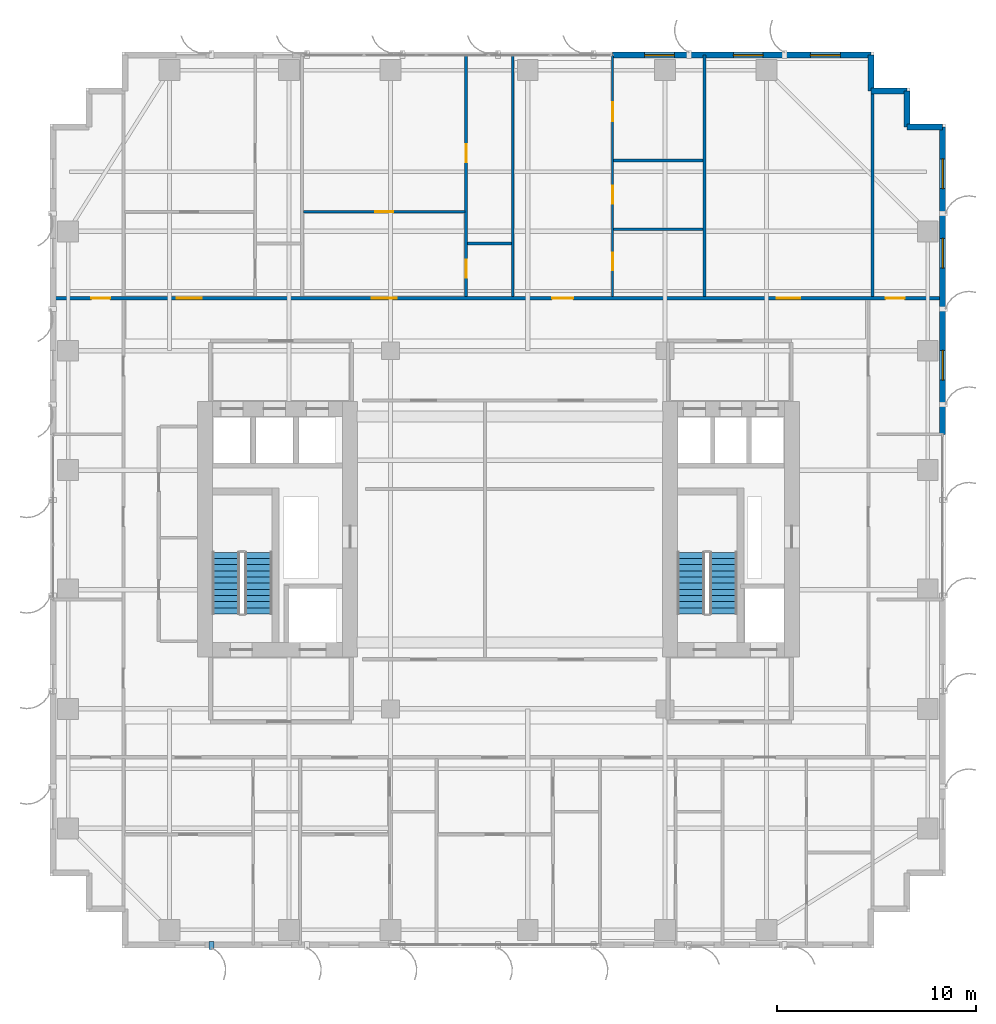
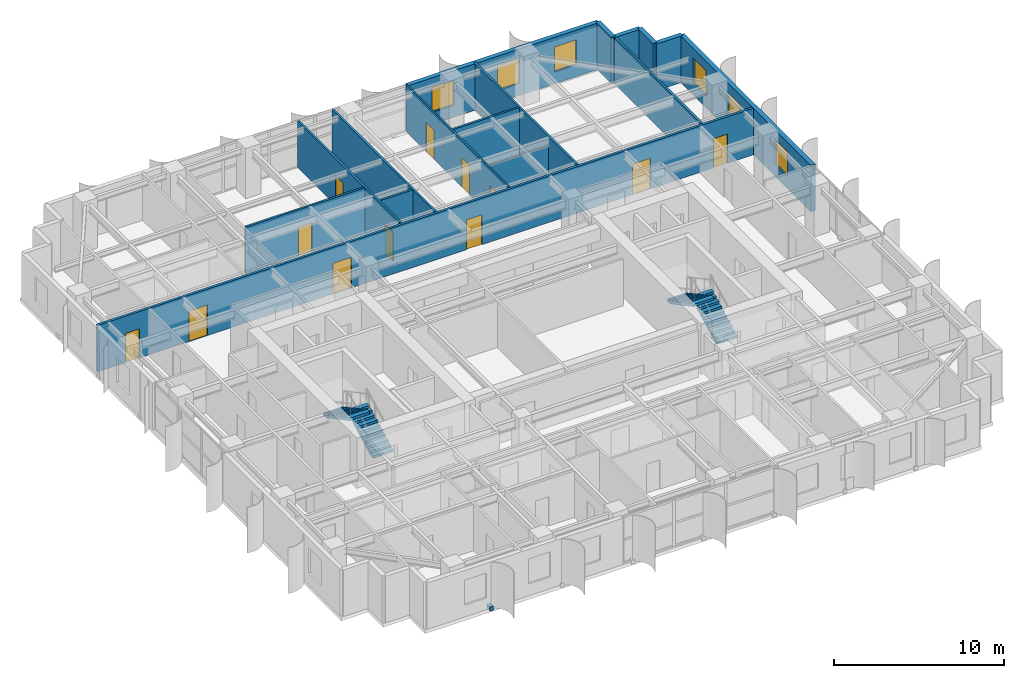
# One storey, part 17 of 22: 16 walls, 12 doors, 6 windows, 4 stair flights, 1 discrete accessory, 18 openings, 2 elements without a shape of their own.
"""IFC4 building model written with IfcOpenShell, lengths in metres."""

from ifc_helpers import new_model, si_unit, direction, frame, frame_2d, origin, origin_2d, place, context, subcontext, project, spatial, polyline, rectangle, outline, extrude, source, transform, mapped, material, layer, layer_set, type_object, element, fill, aggregate, save


model = new_model("IFC4")

# Units and contexts
model_context = context("Model", 3, precision=1e-05, world=origin(), true_north=direction((0.0, 1.0)))
body_context = subcontext(model_context, "Body", "Model", "MODEL_VIEW")
ifc_project = project(units=[si_unit("LENGTHUNIT", "METRE"), si_unit("AREAUNIT", "SQUARE_METRE"), si_unit("VOLUMEUNIT", "CUBIC_METRE"), si_unit("PLANEANGLEUNIT", "RADIAN"), si_unit("MASSUNIT", "GRAM", prefix="KILO")], contexts=[model_context])

# Site, building, storey
site_placement = place(None, origin())
site = spatial("IfcSite", under=ifc_project, at=site_placement, CompositionType="ELEMENT")
building_placement = place(site_placement, origin())
building = spatial("IfcBuilding", under=site, at=building_placement, Name="Khoralis Quay Care Tower", CompositionType="ELEMENT")
storey_placement = place(building_placement, frame((0.0, 0.0, 101.699951171875)))
storey = spatial("IfcBuildingStorey", under=building, at=storey_placement, Name="L26", CompositionType="ELEMENT", Elevation=101.699951171875)

# Wall, openings, doors
ifc_material_1 = material(Name="Gypsum plasterboard on acoustic metal stud")
ifc_layer_1 = layer(ifc_material_1, 0.1650390625)
ifc_layer_set_1 = layer_set([ifc_layer_1], Name="Gypsum plasterboard on acoustic metal stud")
wall_type_1 = type_object("IfcWallType", Name="WL-CORR-165", PredefinedType="PARTITIONING", material=ifc_layer_set_1)
wall_1_placement = place(storey_placement, frame((0.14501953125, 32.639892578125, 0.0), z_axis=(0.0, 0.0, 1.0), x_axis=(1.0, 0.0, 0.0)))
wall_1 = element("IfcWall", 1, at=wall_1_placement, inside=storey, type_object=wall_type_1, Name="L26 North Main Corridor Wall", PredefinedType="PARTITIONING", context=body_context, shape_type="SweptSolid", body=[
    extrude(rectangle(XDim=44.7099609375, YDim=0.1650390625, at=frame_2d((22.35498046875, 0.0))), origin(), (0.0, 0.0, 1.0), 3.340087890625),
])
opening_1_placement = place(wall_1_placement, frame((6.22509765625, 0.0, 0.0)))
opening_1 = element("IfcOpeningElement", 2, at=opening_1_placement, cuts=wall_1, Name="Opening CD1", PredefinedType="OPENING", context=body_context, shape_type="SweptSolid", body=[
    extrude(rectangle(XDim=1.25, YDim=2.199951171875, at=frame_2d((0.625, 1.10009765625))), frame((0.0, 0.092529296875, 0.0), z_axis=(0.0, -1.0, 0.0), x_axis=(1.0, 0.0, 0.0)), (0.0, 0.0, 1.0), 0.18505859375),
])
opening_2_placement = place(wall_1_placement, frame((16.010009765625, 0.0, 0.0)))
opening_2 = element("IfcOpeningElement", 3, at=opening_2_placement, cuts=wall_1, Name="Opening CD1", PredefinedType="OPENING", context=body_context, shape_type="SweptSolid", body=[
    extrude(rectangle(XDim=1.25, YDim=2.199951171875, at=frame_2d((0.625, 1.10009765625))), frame((0.0, 0.092529296875, 0.0), z_axis=(0.0, -1.0, 0.0), x_axis=(1.0, 0.0, 0.0)), (0.0, 0.0, 1.0), 0.18505859375),
])
opening_3_placement = place(wall_1_placement, frame((25.083984375, 0.0, 0.0)))
opening_3 = element("IfcOpeningElement", 4, at=opening_3_placement, cuts=wall_1, Name="Opening UD1", PredefinedType="OPENING", context=body_context, shape_type="SweptSolid", body=[
    extrude(rectangle(XDim=1.050048828125, YDim=2.14990234375, at=frame_2d((0.52490234375, 1.074951171875))), frame((0.0, 0.092529296875, 0.0), z_axis=(0.0, -1.0, 0.0), x_axis=(1.0, 0.0, 0.0)), (0.0, 0.0, 1.0), 0.18505859375),
])
opening_4_placement = place(wall_1_placement, frame((36.35498046875, 0.0, 0.0)))
opening_4 = element("IfcOpeningElement", 5, at=opening_4_placement, cuts=wall_1, Name="Opening FD1", PredefinedType="OPENING", context=body_context, shape_type="SweptSolid", body=[
    extrude(rectangle(XDim=1.199951171875, YDim=2.199951171875, at=frame_2d((0.60009765625, 1.10009765625))), frame((0.0, 0.092529296875, 0.0), z_axis=(0.0, -1.0, 0.0), x_axis=(1.0, 0.0, 0.0)), (0.0, 0.0, 1.0), 0.18505859375),
])
opening_5_placement = place(wall_1_placement, frame((1.919921875, 0.0, 0.0)))
opening_5 = element("IfcOpeningElement", 6, at=opening_5_placement, cuts=wall_1, Name="Opening ID1", PredefinedType="OPENING", context=body_context, shape_type="SweptSolid", body=[
    extrude(rectangle(XDim=0.949951171875, YDim=2.10009765625, at=frame_2d((0.47509765625, 1.050048828125))), frame((0.0, 0.092529296875, 0.0), z_axis=(0.0, -1.0, 0.0), x_axis=(1.0, 0.0, 0.0)), (0.0, 0.0, 1.0), 0.18505859375),
])
opening_6_placement = place(wall_1_placement, frame((41.840087890625, 0.0, 0.0)))
opening_6 = element("IfcOpeningElement", 7, at=opening_6_placement, cuts=wall_1, Name="Opening ID1", PredefinedType="OPENING", context=body_context, shape_type="SweptSolid", body=[
    extrude(rectangle(XDim=0.949951171875, YDim=2.10009765625, at=frame_2d((0.47509765625, 1.050048828125))), frame((0.0, 0.092529296875, 0.0), z_axis=(0.0, -1.0, 0.0), x_axis=(1.0, 0.0, 0.0)), (0.0, 0.0, 1.0), 0.18505859375),
])
ifc_material_2 = material(Name="Fire-rated painted steel", Category="steel")
door_type_1 = type_object("IfcDoorType", Name="DR-FFL-1200X2200", OperationType="NOTDEFINED", PredefinedType="DOOR", material=ifc_material_2)
shared_shape_1 = source(origin(), body_context, "Body", "SweptSolid", [
    extrude(rectangle(XDim=1.199951171875, YDim=2.199951171875, at=frame_2d((0.60009765625, 1.10009765625))), frame((0.0, 0.02490234375, 0.0), z_axis=(0.0, -1.0, 0.0), x_axis=(1.0, 0.0, 0.0)), (0.0, 0.0, 1.0), 0.050048828125),
])
door_1_placement = place(opening_4_placement, origin())
door_1 = element("IfcDoor", 8, at=door_1_placement, inside=storey, type_object=door_type_1, Name="L26 Assisted Communal Dining Room Door", OperationType="DOUBLE_DOOR_SINGLE_SWING", OverallHeight=2.199951171875, OverallWidth=1.199951171875, PredefinedType="DOOR", context=body_context, shape_type="MappedRepresentation", body=[
    mapped(shared_shape_1, transform((0.0, 0.0, 0.0), scale=1.0)),
])
fill(opening_4, door_1)
ifc_material_3 = material(Name="Acoustic hardwood timber", Category="wood")
door_type_2 = type_object("IfcDoorType", Name="DR-CARE-1250X2200", OperationType="NOTDEFINED", PredefinedType="DOOR", material=ifc_material_3)
shared_shape_2 = source(origin(), body_context, "Body", "SweptSolid", [
    extrude(rectangle(XDim=1.25, YDim=2.199951171875, at=frame_2d((0.625, 1.10009765625))), frame((0.0, 0.02490234375, 0.0), z_axis=(0.0, -1.0, 0.0), x_axis=(1.0, 0.0, 0.0)), (0.0, 0.0, 1.0), 0.050048828125),
])
door_2_placement = place(opening_1_placement, origin())
door_2 = element("IfcDoor", 9, at=door_2_placement, inside=storey, type_object=door_type_2, Name="L26 Care Suite NB0 Clinical Door", OperationType="SINGLE_SWING_RIGHT", OverallHeight=2.199951171875, OverallWidth=1.25, PredefinedType="DOOR", context=body_context, shape_type="MappedRepresentation", body=[
    mapped(shared_shape_2, transform((0.0, 0.0, 0.0), scale=1.0)),
])
fill(opening_1, door_2)
door_3_placement = place(opening_2_placement, origin())
door_3 = element("IfcDoor", 10, at=door_3_placement, inside=storey, type_object=door_type_2, Name="L26 Care Suite NB1 Clinical Door", OperationType="SINGLE_SWING_LEFT", OverallHeight=2.199951171875, OverallWidth=1.25, PredefinedType="DOOR", context=body_context, shape_type="MappedRepresentation", body=[
    mapped(shared_shape_2, transform((0.0, 0.0, 0.0), scale=1.0)),
])
fill(opening_2, door_3)
door_type_3 = type_object("IfcDoorType", Name="DR-ROOM-950X2100", OperationType="NOTDEFINED", PredefinedType="DOOR", material=ifc_material_3)
shared_shape_3 = source(origin(), body_context, "Body", "SweptSolid", [
    extrude(rectangle(XDim=0.949951171875, YDim=2.10009765625, at=frame_2d((0.47509765625, 1.050048828125))), frame((0.0, 0.02490234375, 0.0), z_axis=(0.0, -1.0, 0.0), x_axis=(1.0, 0.0, 0.0)), (0.0, 0.0, 1.0), 0.050048828125),
])
door_4_placement = place(opening_5_placement, origin())
door_4 = element("IfcDoor", 11, at=door_4_placement, inside=storey, type_object=door_type_3, Name="L26 NW Corner Door", OperationType="SINGLE_SWING_RIGHT", OverallHeight=2.10009765625, OverallWidth=0.949951171875, PredefinedType="DOOR", context=body_context, shape_type="MappedRepresentation", body=[
    mapped(shared_shape_3, transform((0.0, 0.0, 0.0), scale=1.0)),
])
fill(opening_5, door_4)
door_5_placement = place(opening_6_placement, origin())
door_5 = element("IfcDoor", 12, at=door_5_placement, inside=storey, type_object=door_type_3, Name="L26 NE Corner Door", OperationType="SINGLE_SWING_LEFT", OverallHeight=2.10009765625, OverallWidth=0.949951171875, PredefinedType="DOOR", context=body_context, shape_type="MappedRepresentation", body=[
    mapped(shared_shape_3, transform((0.0, 0.0, 0.0), scale=1.0)),
])
fill(opening_6, door_5)
door_type_4 = type_object("IfcDoorType", Name="DR-SUITE-1050X2150", OperationType="NOTDEFINED", PredefinedType="DOOR", material=ifc_material_3)
shared_shape_4 = source(origin(), body_context, "Body", "SweptSolid", [
    extrude(rectangle(XDim=1.050048828125, YDim=2.14990234375, at=frame_2d((0.52490234375, 1.074951171875))), frame((0.0, 0.02490234375, 0.0), z_axis=(0.0, -1.0, 0.0), x_axis=(1.0, 0.0, 0.0)), (0.0, 0.0, 1.0), 0.050048828125),
])
door_6_placement = place(opening_3_placement, origin())
door_6 = element("IfcDoor", 13, at=door_6_placement, inside=storey, type_object=door_type_4, Name="L26 Apartment NB2 Entrance Door", OperationType="SINGLE_SWING_RIGHT", OverallHeight=2.14990234375, OverallWidth=1.050048828125, PredefinedType="DOOR", context=body_context, shape_type="MappedRepresentation", body=[
    mapped(shared_shape_4, transform((0.0, 0.0, 0.0), scale=1.0)),
])
fill(opening_3, door_6)

# Wall, openings, windows
ifc_material_4 = material(Name="Precast concrete C45/55", Category="concrete")
ifc_layer_2 = layer(ifc_material_4, 0.300048828125)
ifc_layer_set_2 = layer_set([ifc_layer_2], Name="Precast concrete C45/55")
wall_type_2 = type_object("IfcWallType", Name="WL-EXT-REF-300", PredefinedType="SOLIDWALL", material=ifc_layer_set_2)
wall_2_placement = place(storey_placement, frame((44.85009765625, 25.800048828125, 0.0), z_axis=(0.0, 0.0, 1.0), x_axis=(0.0, 1.0, 0.0)))
wall_2 = element("IfcWall", 14, at=wall_2_placement, inside=storey, type_object=wall_type_2, Name="L26 External Facade Wall WL-EXT-L26-P1-E5B", PredefinedType="SOLIDWALL", context=body_context, shape_type="SweptSolid", body=[
    extrude(rectangle(XDim=15.449951171875, YDim=0.300048828125, at=frame_2d((7.72509765625, 0.0))), origin(), (0.0, 0.0, 1.0), 3.340087890625),
])
opening_7_placement = place(wall_2_placement, frame((2.719970703125, 0.0, 0.85009765625)))
opening_7 = element("IfcOpeningElement", 15, at=opening_7_placement, cuts=wall_2, Name="Opening W3", PredefinedType="OPENING", context=body_context, shape_type="SweptSolid", body=[
    extrude(rectangle(XDim=1.5, YDim=1.800048828125, at=frame_2d((0.75, 0.89990234375))), frame((0.0, 0.16015625, 0.0), z_axis=(0.0, -1.0, 0.0), x_axis=(1.0, 0.0, 0.0)), (0.0, 0.0, 1.0), 0.320068359375),
])
opening_8_placement = place(wall_2_placement, frame((8.347412109375, 0.0, 0.85009765625)))
opening_8 = element("IfcOpeningElement", 16, at=opening_8_placement, cuts=wall_2, Name="Opening W3", PredefinedType="OPENING", context=body_context, shape_type="SweptSolid", body=[
    extrude(rectangle(XDim=1.5, YDim=1.800048828125, at=frame_2d((0.75, 0.89990234375))), frame((0.0, 0.16015625, 0.0), z_axis=(0.0, -1.0, 0.0), x_axis=(1.0, 0.0, 0.0)), (0.0, 0.0, 1.0), 0.320068359375),
])
opening_9_placement = place(wall_2_placement, frame((12.342529296875, 0.0, 0.85009765625)))
opening_9 = element("IfcOpeningElement", 17, at=opening_9_placement, cuts=wall_2, Name="Opening W3", PredefinedType="OPENING", context=body_context, shape_type="SweptSolid", body=[
    extrude(rectangle(XDim=1.5, YDim=1.800048828125, at=frame_2d((0.75, 0.89990234375))), frame((0.0, 0.16015625, 0.0), z_axis=(0.0, -1.0, 0.0), x_axis=(1.0, 0.0, 0.0)), (0.0, 0.0, 1.0), 0.320068359375),
])
ifc_material_5 = material(Name="Low-E solar-control double glazing", Category="glass")
window_type = type_object("IfcWindowType", Name="WN-CLIN-1500X1800", PartitioningType="SINGLE_PANEL", PredefinedType="WINDOW", material=ifc_material_5)
shared_shape_5 = source(origin(), body_context, "Body", "SweptSolid", [
    extrude(rectangle(XDim=1.5, YDim=1.800048828125, at=frame_2d((0.75, 0.89990234375))), frame((0.0, 0.030029296875, 0.0), z_axis=(0.0, -1.0, 0.0), x_axis=(1.0, 0.0, 0.0)), (0.0, 0.0, 1.0), 0.06005859375),
])
window_1_placement = place(opening_7_placement, origin())
window_1 = element("IfcWindow", 18, at=window_1_placement, inside=storey, type_object=window_type, Name="WN-L26-P1-E5B Facade Window 01", OverallHeight=1.800048828125, OverallWidth=1.5, PartitioningType="SINGLE_PANEL", PredefinedType="WINDOW", context=body_context, shape_type="MappedRepresentation", body=[
    mapped(shared_shape_5, transform((0.0, 0.0, 0.0), scale=1.0)),
])
fill(opening_7, window_1)
window_2_placement = place(opening_8_placement, origin())
window_2 = element("IfcWindow", 19, at=window_2_placement, inside=storey, type_object=window_type, Name="WN-L26-P1-E5B Facade Window 02", OverallHeight=1.800048828125, OverallWidth=1.5, PartitioningType="SINGLE_PANEL", PredefinedType="WINDOW", context=body_context, shape_type="MappedRepresentation", body=[
    mapped(shared_shape_5, transform((0.0, 0.0, 0.0), scale=1.0)),
])
fill(opening_8, window_2)
window_3_placement = place(opening_9_placement, origin())
window_3 = element("IfcWindow", 20, at=window_3_placement, inside=storey, type_object=window_type, Name="WN-L26-P1-E5B Facade Window 03", OverallHeight=1.800048828125, OverallWidth=1.5, PartitioningType="SINGLE_PANEL", PredefinedType="WINDOW", context=body_context, shape_type="MappedRepresentation", body=[
    mapped(shared_shape_5, transform((0.0, 0.0, 0.0), scale=1.0)),
])
fill(opening_9, window_3)

# Walls
for number, where, z_axis, x_axis, name in (
    (21, (44.85009765625, 41.25, 0.0), (0.0, 0.0, 1.0), (-1.0, 0.0, 0.0), "L26 External Facade Wall WL-EXT-L26-P1-C6"),
    (22, (43.050048828125, 41.25, 0.0), (0.0, 0.0, 1.0), (0.0, 1.0, 0.0), "L26 External Facade Wall WL-EXT-L26-P1-C7"),
    (23, (43.050048828125, 43.050048828125, 0.0), (0.0, 0.0, 1.0), (-1.0, 0.0, 0.0), "L26 External Facade Wall WL-EXT-L26-P1-C8"),
    (24, (41.25, 43.050048828125, 0.0), (0.0, 0.0, 1.0), (0.0, 1.0, 0.0), "L26 External Facade Wall WL-EXT-L26-P1-C9"),
):
    element("IfcWall", number, at=place(storey_placement, frame(where, z_axis=z_axis, x_axis=x_axis)), inside=storey, type_object=wall_type_2, Name=name, PredefinedType="SOLIDWALL", context=body_context, shape_type="SweptSolid", body=[
        extrude(rectangle(XDim=1.800048828125, YDim=0.300048828125, at=frame_2d((0.89990234375, 0.0))), origin(), (0.0, 0.0, 1.0), 3.340087890625),
    ])

# Wall, openings, windows
wall_3_placement = place(storey_placement, frame((41.25, 44.85009765625, 0.0), z_axis=(0.0, 0.0, 1.0), x_axis=(-1.0, 0.0, 0.0)))
wall_3 = element("IfcWall", 25, at=wall_3_placement, inside=storey, type_object=wall_type_2, Name="L26 External Facade Wall WL-EXT-L26-P1-E10A", PredefinedType="SOLIDWALL", context=body_context, shape_type="SweptSolid", body=[
    extrude(rectangle(XDim=12.991943359375, YDim=0.300048828125, at=frame_2d((6.49609375, 0.0))), origin(), (0.0, 0.0, 1.0), 3.340087890625),
])
opening_10_placement = place(wall_3_placement, frame((1.547607421875, 0.0, 0.85009765625)))
opening_10 = element("IfcOpeningElement", 26, at=opening_10_placement, cuts=wall_3, Name="Opening W3", PredefinedType="OPENING", context=body_context, shape_type="SweptSolid", body=[
    extrude(rectangle(XDim=1.5, YDim=1.800048828125, at=frame_2d((0.75, 0.89990234375))), frame((0.0, 0.16015625, 0.0), z_axis=(0.0, -1.0, 0.0), x_axis=(1.0, 0.0, 0.0)), (0.0, 0.0, 1.0), 0.320068359375),
])
opening_11_placement = place(wall_3_placement, frame((5.422607421875, 0.0, 0.85009765625)))
opening_11 = element("IfcOpeningElement", 27, at=opening_11_placement, cuts=wall_3, Name="Opening W3", PredefinedType="OPENING", context=body_context, shape_type="SweptSolid", body=[
    extrude(rectangle(XDim=1.5, YDim=1.800048828125, at=frame_2d((0.75, 0.89990234375))), frame((0.0, 0.16015625, 0.0), z_axis=(0.0, -1.0, 0.0), x_axis=(1.0, 0.0, 0.0)), (0.0, 0.0, 1.0), 0.320068359375),
])
opening_12_placement = place(wall_3_placement, frame((9.881103515625, 0.0, 0.85009765625)))
opening_12 = element("IfcOpeningElement", 28, at=opening_12_placement, cuts=wall_3, Name="Opening W3", PredefinedType="OPENING", context=body_context, shape_type="SweptSolid", body=[
    extrude(rectangle(XDim=1.5, YDim=1.800048828125, at=frame_2d((0.75, 0.89990234375))), frame((0.0, 0.16015625, 0.0), z_axis=(0.0, -1.0, 0.0), x_axis=(1.0, 0.0, 0.0)), (0.0, 0.0, 1.0), 0.320068359375),
])
window_4_placement = place(opening_10_placement, origin())
window_4 = element("IfcWindow", 29, at=window_4_placement, inside=storey, type_object=window_type, Name="WN-L26-P1-E10A Facade Window 01", OverallHeight=1.800048828125, OverallWidth=1.5, PartitioningType="SINGLE_PANEL", PredefinedType="WINDOW", context=body_context, shape_type="MappedRepresentation", body=[
    mapped(shared_shape_5, transform((0.0, 0.0, 0.0), scale=1.0)),
])
fill(opening_10, window_4)
window_5_placement = place(opening_11_placement, origin())
window_5 = element("IfcWindow", 30, at=window_5_placement, inside=storey, type_object=window_type, Name="WN-L26-P1-E10A Facade Window 02", OverallHeight=1.800048828125, OverallWidth=1.5, PartitioningType="SINGLE_PANEL", PredefinedType="WINDOW", context=body_context, shape_type="MappedRepresentation", body=[
    mapped(shared_shape_5, transform((0.0, 0.0, 0.0), scale=1.0)),
])
fill(opening_11, window_5)
window_6_placement = place(opening_12_placement, origin())
window_6 = element("IfcWindow", 31, at=window_6_placement, inside=storey, type_object=window_type, Name="WN-L26-P1-E10A Facade Window 03", OverallHeight=1.800048828125, OverallWidth=1.5, PartitioningType="SINGLE_PANEL", PredefinedType="WINDOW", context=body_context, shape_type="MappedRepresentation", body=[
    mapped(shared_shape_5, transform((0.0, 0.0, 0.0), scale=1.0)),
])
fill(opening_12, window_6)

# Wall, openings, doors
ifc_layer_3 = layer(ifc_material_1, 0.114990234375)
ifc_layer_set_3 = layer_set([ifc_layer_3], Name="Gypsum plasterboard on acoustic metal stud")
wall_type_3 = type_object("IfcWallType", Name="WL-PART-115", PredefinedType="PARTITIONING", material=ifc_layer_set_3)
wall_4_placement = place(storey_placement, frame((28.258056640625, 32.717529296875, 0.0), z_axis=(0.0, 0.0, 1.0), x_axis=(0.0, 1.0, 0.0)))
wall_4 = element("IfcWall", 32, at=wall_4_placement, inside=storey, type_object=wall_type_3, Name="L26 Unit 2 Internal Wall", PredefinedType="PARTITIONING", context=body_context, shape_type="SweptSolid", body=[
    extrude(rectangle(XDim=12.137451171875, YDim=0.114990234375, at=frame_2d((6.06884765625, 0.0))), origin(), (0.0, 0.0, 1.0), 3.340087890625),
])
opening_13_placement = place(wall_4_placement, frame((8.8134765625, 0.0, 0.0)))
opening_13 = element("IfcOpeningElement", 33, at=opening_13_placement, cuts=wall_4, Name="Opening ID1", PredefinedType="OPENING", context=body_context, shape_type="SweptSolid", body=[
    extrude(rectangle(XDim=0.949951171875, YDim=2.10009765625, at=frame_2d((0.47509765625, 1.050048828125))), frame((0.0, 0.0673828125, 0.0), z_axis=(0.0, -1.0, 0.0), x_axis=(1.0, 0.0, 0.0)), (0.0, 0.0, 1.0), 0.135009765625),
])
opening_14_placement = place(wall_4_placement, frame((4.6640625, 0.0, 0.0)))
opening_14 = element("IfcOpeningElement", 34, at=opening_14_placement, cuts=wall_4, Name="Opening WD1", PredefinedType="OPENING", context=body_context, shape_type="SweptSolid", body=[
    extrude(rectangle(XDim=0.89990234375, YDim=2.10009765625, at=frame_2d((0.449951171875, 1.050048828125))), frame((0.0, 0.0673828125, 0.0), z_axis=(0.0, -1.0, 0.0), x_axis=(1.0, 0.0, 0.0)), (0.0, 0.0, 1.0), 0.135009765625),
])
opening_15_placement = place(wall_4_placement, frame((1.318115234375, 0.0, 0.0)))
opening_15 = element("IfcOpeningElement", 35, at=opening_15_placement, cuts=wall_4, Name="Opening WD1", PredefinedType="OPENING", context=body_context, shape_type="SweptSolid", body=[
    extrude(rectangle(XDim=0.89990234375, YDim=2.10009765625, at=frame_2d((0.449951171875, 1.050048828125))), frame((0.0, 0.0673828125, 0.0), z_axis=(0.0, -1.0, 0.0), x_axis=(1.0, 0.0, 0.0)), (0.0, 0.0, 1.0), 0.135009765625),
])
door_type_5 = type_object("IfcDoorType", Name="DR-BATH-900X2100", OperationType="NOTDEFINED", PredefinedType="DOOR", material=ifc_material_3)
shared_shape_6 = source(origin(), body_context, "Body", "SweptSolid", [
    extrude(rectangle(XDim=0.89990234375, YDim=2.10009765625, at=frame_2d((0.449951171875, 1.050048828125))), frame((0.0, 0.02490234375, 0.0), z_axis=(0.0, -1.0, 0.0), x_axis=(1.0, 0.0, 0.0)), (0.0, 0.0, 1.0), 0.050048828125),
])
door_7_placement = place(opening_14_placement, frame((0.89990234375, 0.0, 0.0), z_axis=(0.0, 0.0, 1.0), x_axis=(-1.0, 0.0, 0.0)))
door_7 = element("IfcDoor", 36, at=door_7_placement, inside=storey, type_object=door_type_5, Name="L26 Apartment NB2 KIT Door", OperationType="SINGLE_SWING_RIGHT", OverallHeight=2.10009765625, OverallWidth=0.89990234375, PredefinedType="DOOR", context=body_context, shape_type="MappedRepresentation", body=[
    mapped(shared_shape_6, transform((0.0, 0.0, 0.0), scale=1.0)),
])
fill(opening_14, door_7)
door_8_placement = place(opening_15_placement, frame((0.89990234375, 0.0, 0.0), z_axis=(0.0, 0.0, 1.0), x_axis=(-1.0, 0.0, 0.0)))
door_8 = element("IfcDoor", 37, at=door_8_placement, inside=storey, type_object=door_type_5, Name="L26 Apartment NB2 BTH Door", OperationType="SINGLE_SWING_LEFT", OverallHeight=2.10009765625, OverallWidth=0.89990234375, PredefinedType="DOOR", context=body_context, shape_type="MappedRepresentation", body=[
    mapped(shared_shape_6, transform((0.0, 0.0, 0.0), scale=1.0)),
])
fill(opening_15, door_8)
door_9_placement = place(opening_13_placement, frame((0.949951171875, 0.0, 0.0), z_axis=(0.0, 0.0, 1.0), x_axis=(-1.0, 0.0, 0.0)))
door_9 = element("IfcDoor", 38, at=door_9_placement, inside=storey, type_object=door_type_3, Name="L26 Apartment NB2 BED Door", OperationType="SINGLE_SWING_LEFT", OverallHeight=2.10009765625, OverallWidth=0.949951171875, PredefinedType="DOOR", context=body_context, shape_type="MappedRepresentation", body=[
    mapped(shared_shape_3, transform((0.0, 0.0, 0.0), scale=1.0)),
])
fill(opening_13, door_9)

# Wall
wall_5_placement = place(storey_placement, frame((28.310546875, 36.10107421875, 0.0), z_axis=(0.0, 0.0, 1.0), x_axis=(1.0, 0.0, 0.0)))
element("IfcWall", 39, at=wall_5_placement, inside=storey, type_object=wall_type_3, Name="L26 Unit 2 Kitchen Wall", PredefinedType="PARTITIONING", context=body_context, shape_type="SweptSolid", body=[
    extrude(rectangle(XDim=4.50439453125, YDim=0.114990234375, at=frame_2d((2.252197265625, 0.0))), origin(), (0.0, 0.0, 1.0), 2.72314453125),
])

# Wall, openings, doors
ifc_material_6 = material(Name="Moisture-resistant gypsum and ceramic tile")
ifc_layer_4 = layer(ifc_material_6, 0.280029296875)
ifc_layer_set_4 = layer_set([ifc_layer_4], Name="Moisture-resistant gypsum and ceramic tile")
wall_type_4 = type_object("IfcWallType", Name="WL-PLUMB-280", PredefinedType="PLUMBINGWALL", material=ifc_layer_set_4)
wall_6_placement = place(storey_placement, frame((20.89990234375, 32.717529296875, 0.0), z_axis=(0.0, 0.0, 1.0), x_axis=(0.0, 1.0, 0.0)))
wall_6 = element("IfcWall", 40, at=wall_6_placement, inside=storey, type_object=wall_type_4, Name="L26 Care Suite 1 En-Suite Wall V", PredefinedType="PLUMBINGWALL", context=body_context, shape_type="SweptSolid", body=[
    extrude(rectangle(XDim=12.137451171875, YDim=0.139892578125, at=frame_2d((6.06884765625, 0.0))), origin(), (0.0, 0.0, 1.0), 3.340087890625),
])
opening_16_placement = place(wall_6_placement, frame((0.96240234375, 0.0, 0.0)))
opening_16 = element("IfcOpeningElement", 41, at=opening_16_placement, cuts=wall_6, Name="Opening WD1", PredefinedType="OPENING", context=body_context, shape_type="SweptSolid", body=[
    extrude(rectangle(XDim=0.89990234375, YDim=2.10009765625, at=frame_2d((0.449951171875, 1.050048828125))), frame((0.0, 0.080078125, 0.0), z_axis=(0.0, -1.0, 0.0), x_axis=(1.0, 0.0, 0.0)), (0.0, 0.0, 1.0), 0.159912109375),
])
opening_17_placement = place(wall_6_placement, frame((6.75244140625, 0.0, 0.0)))
opening_17 = element("IfcOpeningElement", 42, at=opening_17_placement, cuts=wall_6, Name="Opening WD1", PredefinedType="OPENING", context=body_context, shape_type="SweptSolid", body=[
    extrude(rectangle(XDim=0.89990234375, YDim=2.10009765625, at=frame_2d((0.449951171875, 1.050048828125))), frame((0.0, 0.080078125, 0.0), z_axis=(0.0, -1.0, 0.0), x_axis=(1.0, 0.0, 0.0)), (0.0, 0.0, 1.0), 0.159912109375),
])
door_10_placement = place(opening_16_placement, frame((0.89990234375, 0.0, 0.0), z_axis=(0.0, 0.0, 1.0), x_axis=(-1.0, 0.0, 0.0)))
door_10 = element("IfcDoor", 43, at=door_10_placement, inside=storey, type_object=door_type_5, Name="L26 Care CENS Door", OperationType="SINGLE_SWING_RIGHT", OverallHeight=2.10009765625, OverallWidth=0.89990234375, PredefinedType="DOOR", context=body_context, shape_type="MappedRepresentation", body=[
    mapped(shared_shape_6, transform((0.0, 0.0, 0.0), scale=1.0)),
])
fill(opening_16, door_10)
door_11_placement = place(opening_17_placement, frame((0.89990234375, 0.0, 0.0), z_axis=(0.0, 0.0, 1.0), x_axis=(-1.0, 0.0, 0.0)))
door_11 = element("IfcDoor", 44, at=door_11_placement, inside=storey, type_object=door_type_5, Name="L26 Care CSIT Door", OperationType="SINGLE_SWING_LEFT", OverallHeight=2.10009765625, OverallWidth=0.89990234375, PredefinedType="DOOR", context=body_context, shape_type="MappedRepresentation", body=[
    mapped(shared_shape_6, transform((0.0, 0.0, 0.0), scale=1.0)),
])
fill(opening_17, door_11)

# Walls
wall_7_placement = place(storey_placement, frame((20.965087890625, 35.389892578125, 0.0), z_axis=(0.0, 0.0, 1.0), x_axis=(1.0, 0.0, 0.0)))
element("IfcWall", 45, at=wall_7_placement, inside=storey, type_object=wall_type_4, Name="L26 Care Suite 1 En-Suite Wall H", PredefinedType="PLUMBINGWALL", context=body_context, shape_type="SweptSolid", body=[
    extrude(rectangle(XDim=2.219970703125, YDim=0.139892578125, at=frame_2d((1.10986328125, 0.0))), origin(), (0.0, 0.0, 1.0), 3.340087890625),
])
wall_8_placement = place(storey_placement, frame((28.310546875, 39.56201171875, 0.0), z_axis=(0.0, 0.0, 1.0), x_axis=(1.0, 0.0, 0.0)))
element("IfcWall", 46, at=wall_8_placement, inside=storey, type_object=wall_type_4, Name="L26 Unit 2 Wet Wall", PredefinedType="PLUMBINGWALL", context=body_context, shape_type="SweptSolid", body=[
    extrude(rectangle(XDim=4.50439453125, YDim=0.139892578125, at=frame_2d((2.252197265625, 0.0))), origin(), (0.0, 0.0, 1.0), 3.340087890625),
])
ifc_layer_5 = layer(ifc_material_1, 0.139892578125)
ifc_layer_set_5 = layer_set([ifc_layer_5], Name="Gypsum plasterboard on acoustic metal stud")
wall_type_5 = type_object("IfcWallType", Name="WL-UNIT-140", PredefinedType="PARTITIONING", material=ifc_layer_set_5)
for number, where, z_axis, x_axis, name in (
    (47, (23.25, 32.717529296875, 0.0), (0.0, 0.0, 1.0), (0.0, 1.0, 0.0), "L26 NB Demising Wall 2"),
    (48, (32.8798828125, 32.717529296875, 0.0), (0.0, 0.0, 1.0), (0.0, 1.0, 0.0), "L26 NB Demising Wall 3"),
):
    element("IfcWall", number, at=place(storey_placement, frame(where, z_axis=z_axis, x_axis=x_axis)), inside=storey, type_object=wall_type_5, Name=name, PredefinedType="PARTITIONING", context=body_context, shape_type="SweptSolid", body=[
        extrude(rectangle(XDim=12.137451171875, YDim=0.139892578125, at=frame_2d((6.06884765625, 0.0))), origin(), (0.0, 0.0, 1.0), 3.340087890625),
    ])
wall_9_placement = place(storey_placement, frame((41.320068359375, 32.717529296875, 0.0), z_axis=(0.0, 0.0, 1.0), x_axis=(0.0, 1.0, 0.0)))
element("IfcWall", 49, at=wall_9_placement, inside=storey, type_object=wall_type_5, Name="L26 NB Demising Wall 4", PredefinedType="PARTITIONING", context=body_context, shape_type="SweptSolid", body=[
    extrude(rectangle(XDim=10.33740234375, YDim=0.139892578125, at=frame_2d((5.168701171875, 0.0))), origin(), (0.0, 0.0, 1.0), 3.340087890625),
])

# Wall, opening, door
wall_10_placement = place(storey_placement, frame((12.72509765625, 36.989990234375, 0.0), z_axis=(0.0, 0.0, 1.0), x_axis=(1.0, 0.0, 0.0)))
wall_10 = element("IfcWall", 50, at=wall_10_placement, inside=storey, type_object=wall_type_5, Name="Skilled Care Bedroom L26-NB1 Sub-Partition", PredefinedType="PARTITIONING", context=body_context, shape_type="SweptSolid", body=[
    extrude(rectangle(XDim=8.10986328125, YDim=0.139892578125, at=frame_2d((4.054931640625, 0.0))), origin(), (0.0, 0.0, 1.0), 3.340087890625),
])
opening_18_placement = place(wall_10_placement, frame((3.60498046875, 0.0, 0.0)))
opening_18 = element("IfcOpeningElement", 51, at=opening_18_placement, cuts=wall_10, Name="Opening WD1", PredefinedType="OPENING", context=body_context, shape_type="SweptSolid", body=[
    extrude(rectangle(XDim=0.89990234375, YDim=2.10009765625, at=frame_2d((0.449951171875, 1.050048828125))), frame((0.0, 0.080078125, 0.0), z_axis=(0.0, -1.0, 0.0), x_axis=(1.0, 0.0, 0.0)), (0.0, 0.0, 1.0), 0.159912109375),
])
door_12_placement = place(opening_18_placement, frame((0.89990234375, 0.0, 0.0), z_axis=(0.0, 0.0, 1.0), x_axis=(-1.0, 0.0, 0.0)))
door_12 = element("IfcDoor", 52, at=door_12_placement, inside=storey, type_object=door_type_5, Name="Private Study & Reading Alcove ARE1 Door", OperationType="SINGLE_SWING_LEFT", OverallHeight=2.10009765625, OverallWidth=0.89990234375, PredefinedType="DOOR", context=body_context, shape_type="MappedRepresentation", body=[
    mapped(shared_shape_6, transform((0.0, 0.0, 0.0), scale=1.0)),
])
fill(opening_18, door_12)

# Stair, stair flights
stair_type = type_object("IfcStairType", Name="ST-TWR-DOGLEG-1400", PredefinedType="HALF_TURN_STAIR", material=ifc_material_4)
stair_1_placement = place(storey_placement, origin())
stair_1 = element("IfcStair", 53, at=stair_1_placement, inside=storey, type_object=stair_type, Name="L26 West Core Exit Stair ST-T1", PredefinedType="HALF_TURN_STAIR")
stair_flight_type = type_object("IfcStairFlightType", Name="SF-TWR-1400", PredefinedType="STRAIGHT", material=ifc_material_4)
shared_shape_7 = source(origin(), body_context, "Body", "SweptSolid", [
    extrude(outline(polyline([(0.0, 0.0), (0.0, 0.16357421875), (0.31005859375, 0.16357421875), (0.31005859375, 0.327392578125), (0.6201171875, 0.327392578125), (0.6201171875, 0.490966796875), (0.929931640625, 0.490966796875), (0.929931640625, 0.654541015625), (1.239990234375, 0.654541015625), (1.239990234375, 0.818115234375), (1.550048828125, 0.818115234375), (1.550048828125, 0.98193359375), (1.860107421875, 0.98193359375), (1.860107421875, 1.1455078125), (2.169921875, 1.1455078125), (2.169921875, 1.30908203125), (2.47998046875, 1.30908203125), (2.47998046875, 1.47265625), (2.7900390625, 1.47265625), (2.7900390625, 1.636474609375), (3.10009765625, 1.636474609375), (3.10009765625, 1.800048828125), (3.10009765625, 1.466796875), (0.321044921875, 0.0), (0.0, 0.0)])), frame((0.0, 0.68994140625, 0.0), z_axis=(0.0, -1.0, 0.0), x_axis=(1.0, 0.0, 0.0)), (0.0, 0.0, 1.0), 1.3798828125),
])
stair_flight_1_placement = place(storey_placement, frame((10.4599609375, 16.77001953125, 0.0), z_axis=(0.0, 0.0, 1.0), x_axis=(0.0, 1.0, 0.0)))
stair_flight_1 = element("IfcStairFlight", 54, at=stair_flight_1_placement, type_object=stair_flight_type, Name="ST-T1 flight 1", NumberOfRisers=11, NumberOfTreads=10, PredefinedType="STRAIGHT", RiserHeight=0.163636364, TreadLength=0.31, context=body_context, shape_type="MappedRepresentation", body=[
    mapped(shared_shape_7, transform((0.0, 0.0, 0.0), scale=1.0)),
])
stair_flight_2_placement = place(storey_placement, frame((8.840087890625, 19.8701171875, 1.800048828125), z_axis=(0.0, 0.0, 1.0), x_axis=(0.0, -1.0, 0.0)))
stair_flight_2 = element("IfcStairFlight", 55, at=stair_flight_2_placement, type_object=stair_flight_type, Name="ST-T1 flight 2", NumberOfRisers=11, NumberOfTreads=10, PredefinedType="STRAIGHT", RiserHeight=0.163636364, TreadLength=0.31, context=body_context, shape_type="MappedRepresentation", body=[
    mapped(shared_shape_7, transform((0.0, 0.0, 0.0), scale=1.0)),
])
aggregate(stair_1, [stair_flight_1, stair_flight_2])

stair_2_placement = place(storey_placement, origin())
stair_2 = element("IfcStair", 56, at=stair_2_placement, inside=storey, type_object=stair_type, Name="L26 East Core Exit Stair ST-T2", PredefinedType="HALF_TURN_STAIR")
stair_flight_3_placement = place(storey_placement, frame((33.830078125, 16.77001953125, 0.0), z_axis=(0.0, 0.0, 1.0), x_axis=(0.0, 1.0, 0.0)))
stair_flight_3 = element("IfcStairFlight", 57, at=stair_flight_3_placement, type_object=stair_flight_type, Name="ST-T2 flight 1", NumberOfRisers=11, NumberOfTreads=10, PredefinedType="STRAIGHT", RiserHeight=0.163636364, TreadLength=0.31, context=body_context, shape_type="MappedRepresentation", body=[
    mapped(shared_shape_7, transform((0.0, 0.0, 0.0), scale=1.0)),
])
stair_flight_4_placement = place(storey_placement, frame((32.2099609375, 19.8701171875, 1.800048828125), z_axis=(0.0, 0.0, 1.0), x_axis=(0.0, -1.0, 0.0)))
stair_flight_4 = element("IfcStairFlight", 58, at=stair_flight_4_placement, type_object=stair_flight_type, Name="ST-T2 flight 2", NumberOfRisers=11, NumberOfTreads=10, PredefinedType="STRAIGHT", RiserHeight=0.163636364, TreadLength=0.31, context=body_context, shape_type="MappedRepresentation", body=[
    mapped(shared_shape_7, transform((0.0, 0.0, 0.0), scale=1.0)),
])
aggregate(stair_2, [stair_flight_3, stair_flight_4])

# Discrete accessory
ifc_material_7 = material(Name="Brushed stainless steel", Category="steel")
discrete_accessory_type = type_object("IfcDiscreteAccessoryType", Name="ACC-FIN-BRACKET", PredefinedType="BRACKET", material=ifc_material_7)
shared_shape_8 = source(origin(), body_context, "Body", "SweptSolid", [
    extrude(rectangle(XDim=0.39990234375, YDim=0.239990234375, at=origin_2d()), origin(), (0.0, 0.0, 1.0), 0.280029296875),
])
discrete_accessory_placement = place(storey_placement, frame((8.10009765625, 0.110107421875, -0.1201171875), z_axis=(0.0, 0.0, 1.0), x_axis=(0.0, -1.0, 0.0)))
element("IfcDiscreteAccessory", 59, at=discrete_accessory_placement, inside=storey, type_object=discrete_accessory_type, Name="L26 Solar Fin Bracket P1E0-01", PredefinedType="BRACKET", context=body_context, shape_type="MappedRepresentation", body=[
    mapped(shared_shape_8, transform((0.0, 0.0, 0.0), scale=1.0)),
])

save(model, "model.ifc")
